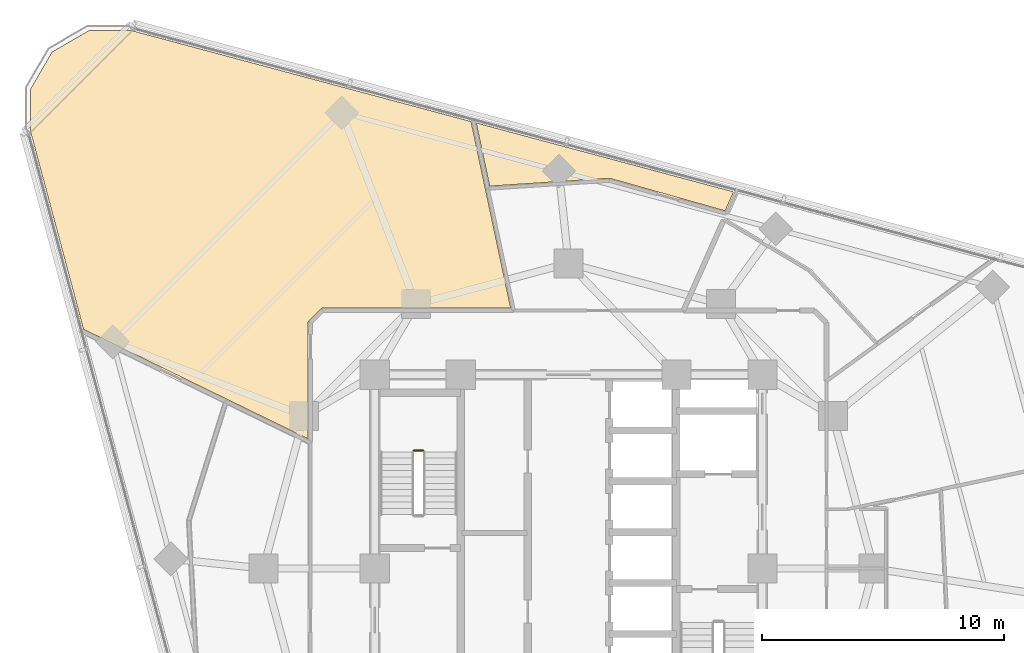
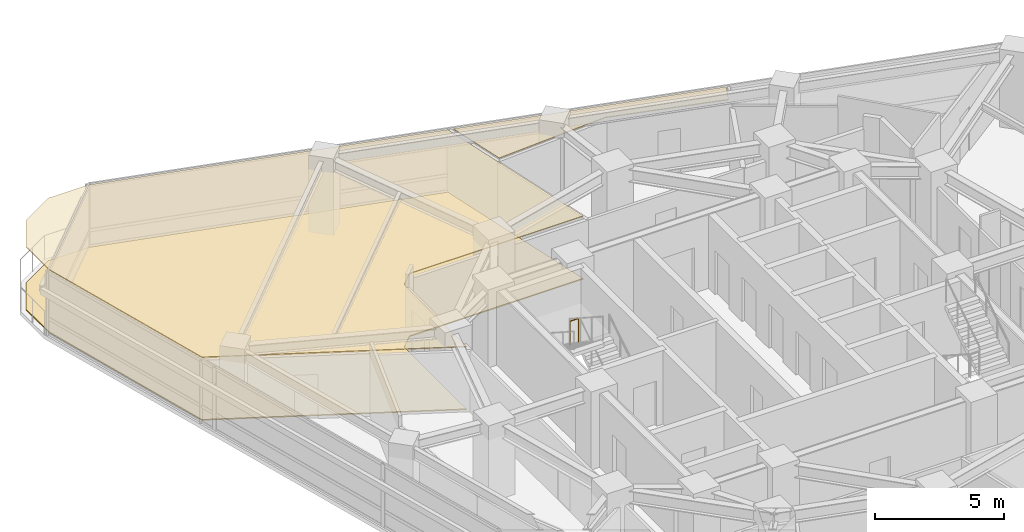
# One storey, part 13 of 14: 3 coverings, 1 railing.
"""IFC4 building model written with IfcOpenShell, lengths in metres."""

from ifc_helpers import new_model, si_unit, direction, frame, origin, origin_2d, place, context, subcontext, project, spatial, polyline, circle, outline, extrude, material, layer, layer_set, type_object, element, save


model = new_model("IFC4")

# Units and contexts
model_context = context("Model", 3, precision=1e-05, world=origin(), true_north=direction((0.0, 1.0)))
body_context = subcontext(model_context, "Body", "Model", "MODEL_VIEW")
ifc_project = project(units=[si_unit("LENGTHUNIT", "METRE"), si_unit("AREAUNIT", "SQUARE_METRE"), si_unit("VOLUMEUNIT", "CUBIC_METRE"), si_unit("PLANEANGLEUNIT", "RADIAN"), si_unit("MASSUNIT", "GRAM", prefix="KILO")], contexts=[model_context])

# Site, building, storey
site_placement = place(None, origin())
site = spatial("IfcSite", under=ifc_project, at=site_placement, CompositionType="ELEMENT")
building_placement = place(site_placement, origin())
building = spatial("IfcBuilding", under=site, at=building_placement, Name="Terralouvre Media Tower", CompositionType="ELEMENT")
storey_placement = place(building_placement, frame((0.0, 0.0, 187.89990234375)))
storey = spatial("IfcBuildingStorey", under=building, at=storey_placement, Name="L48", CompositionType="ELEMENT", Elevation=187.89990234375)

# Coverings
ifc_material_1 = material(Name="Resilient elastomer acoustic broadcast studio flooring")
ifc_layer_1 = layer(ifc_material_1, 0.050048828125, Name="Broadcast Studio Acoustic Floating Floor FL-AC1")
ifc_layer_set_1 = layer_set([ifc_layer_1], Name="Resilient elastomer acoustic broadcast studio flooring")
covering_type_1 = type_object("IfcCoveringType", Name="Broadcast Studio Acoustic Floating Floor FL-AC1", PredefinedType="FLOORING", material=ifc_layer_set_1)
covering_1_placement = place(storey_placement, frame((0.0, 0.0, 0.0), z_axis=(0.0, 0.0, 1.0), x_axis=(0.707106781187, 0.707106781187, 0.0)))
element("IfcCovering", 1, at=covering_1_placement, inside=storey, type_object=covering_type_1, Name="L48 Audio Mastering Control Room 13 Acoustic Floating Floor", PredefinedType="FLOORING", context=body_context, shape_type="SweptSolid", body=[
    extrude(outline(polyline([(-5.027099609375, 14.906494140625), (-3.8154296875, 11.38720703125), (-0.42431640625, 14.778564453125), (-0.4169921875, 14.78515625), (-0.4091796875, 14.791015625), (-0.400634765625, 14.7958984375), (-0.391845703125, 14.80029296875), (-0.382568359375, 14.803466796875), (-0.373046875, 14.805908203125), (-0.36328125, 14.807373046875), (-0.353515625, 14.807861328125), (0.353515625, 14.807861328125), (0.36328125, 14.807373046875), (0.373046875, 14.805908203125), (0.382568359375, 14.803466796875), (0.391845703125, 14.80029296875), (0.400634765625, 14.7958984375), (0.4091796875, 14.791015625), (0.4169921875, 14.78515625), (0.42431640625, 14.778564453125), (5.9130859375, 9.28955078125), (8.648193359375, 13.50146484375), (10.202392578125, 15.89453125), (2.958984375, 28.440673828125), (1.6962890625, 29.70361328125), (0.0, 30.15771484375), (-1.6962890625, 29.70361328125), (-2.958984375, 28.440673828125), (-7.173828125, 21.140380859375), (-5.027099609375, 14.906494140625)])), origin(), (0.0, 0.0, 1.0), 0.050048828125),
])
ifc_material_2 = material(Name="Perforated aluminium acoustic ceiling baffle", Category="aluminium")
ifc_layer_2 = layer(ifc_material_2, 0.0400390625, Name="Perforated Acoustic Metal Tile Ceiling CL-AC1")
ifc_layer_set_2 = layer_set([ifc_layer_2], Name="Perforated aluminium acoustic ceiling baffle")
covering_type_2 = type_object("IfcCoveringType", Name="Perforated Acoustic Metal Tile Ceiling CL-AC1", PredefinedType="CEILING", material=ifc_layer_set_2)
covering_2_placement = place(storey_placement, frame((0.0, 0.0, 2.97998046875), z_axis=(0.0, 0.0, 1.0), x_axis=(0.707106781187, 0.707106781187, 0.0)))
element("IfcCovering", 2, at=covering_2_placement, inside=storey, type_object=covering_type_2, Name="L48 Guest Arrival Reception 12 Acoustic Ceiling", PredefinedType="CEILING", context=body_context, shape_type="SweptSolid", body=[
    extrude(outline(polyline([(12.578125, 10.207275390625), (12.586181640625, 10.199462890625), (12.593505859375, 10.1904296875), (12.599609375, 10.180908203125), (15.012939453125, 5.870361328125), (15.8134765625, 6.177001953125), (10.314453125, 15.7001953125), (8.863037109375, 13.465087890625), (12.578125, 10.207275390625)])), origin(), (0.0, 0.0, 1.0), 0.0400390625),
])
covering_3_placement = place(storey_placement, frame((0.0, 0.0, 2.97998046875), z_axis=(0.0, 0.0, 1.0), x_axis=(0.707106781187, 0.707106781187, 0.0)))
element("IfcCovering", 3, at=covering_3_placement, inside=storey, type_object=covering_type_2, Name="L48 Audio Mastering Control Room 13 Acoustic Ceiling", PredefinedType="CEILING", context=body_context, shape_type="SweptSolid", body=[
    extrude(outline(polyline([(-5.027099609375, 14.906494140625), (-3.8154296875, 11.38720703125), (-0.42431640625, 14.778564453125), (-0.4169921875, 14.78515625), (-0.4091796875, 14.791015625), (-0.400634765625, 14.7958984375), (-0.391845703125, 14.80029296875), (-0.382568359375, 14.803466796875), (-0.373046875, 14.805908203125), (-0.36328125, 14.807373046875), (-0.353515625, 14.807861328125), (0.353515625, 14.807861328125), (0.36328125, 14.807373046875), (0.373046875, 14.805908203125), (0.382568359375, 14.803466796875), (0.391845703125, 14.80029296875), (0.400634765625, 14.7958984375), (0.4091796875, 14.791015625), (0.4169921875, 14.78515625), (0.42431640625, 14.778564453125), (5.9130859375, 9.28955078125), (8.648193359375, 13.50146484375), (10.202392578125, 15.89453125), (2.958984375, 28.440673828125), (1.6962890625, 29.70361328125), (0.0, 30.15771484375), (-1.6962890625, 29.70361328125), (-2.958984375, 28.440673828125), (-7.173828125, 21.140380859375), (-5.027099609375, 14.906494140625)])), origin(), (0.0, 0.0, 1.0), 0.0400390625),
])

# Railing
ifc_material_3 = material(Name="Stainless steel 316 handrail and balustrade", Category="steel")
ifc_layer_3 = layer(ifc_material_3, 0.050048828125, Name="Stairwell Safety Guardrail GR-INT1")
ifc_layer_set_3 = layer_set([ifc_layer_3], Name="Stainless steel 316 handrail and balustrade")
railing_type = type_object("IfcRailingType", Name="Stairwell Safety Guardrail GR-INT1", PredefinedType="GUARDRAIL", material=ifc_layer_set_3)
railing_placement = place(storey_placement, frame((-6.0, 4.8701171875, 1.85009765625)))
element("IfcRailing", 4, at=railing_placement, inside=storey, type_object=railing_type, Name="L48 ST-01 stair guard 2", PredefinedType="GUARDRAIL", context=body_context, shape_type="SweptSolid", body=[
    extrude(circle(Radius=0.02392578125, at=origin_2d()), frame((0.0, 0.0, 1.1259765625), z_axis=(-1.0, 0.0, 0.0), x_axis=(0.0, -1.0, 0.0)), (0.0, 0.0, 1.0), 0.3798828125),
    extrude(circle(Radius=0.02099609375, at=origin_2d()), origin(), (0.0, 0.0, 1.0), 1.101806640625),
    extrude(circle(Radius=0.02099609375, at=origin_2d()), frame((-0.3798828125, 0.0, 0.0)), (0.0, 0.0, 1.0), 1.101806640625),
])

save(model, "model.ifc")
